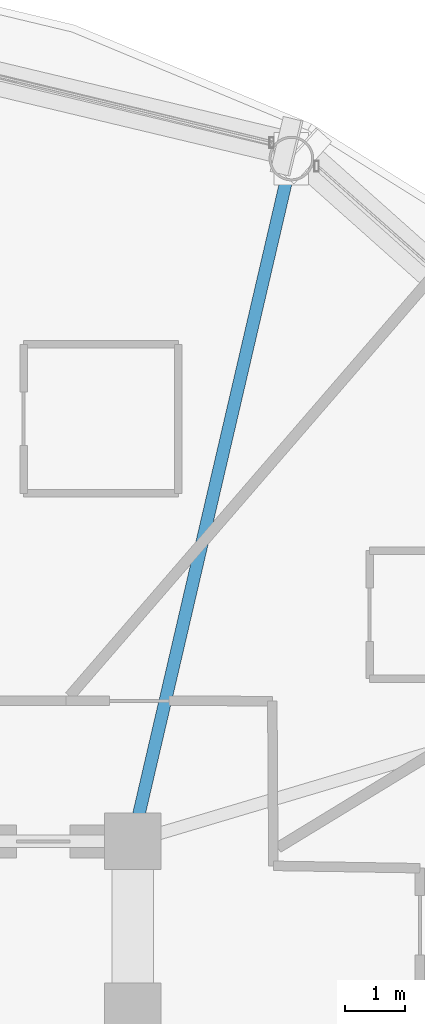
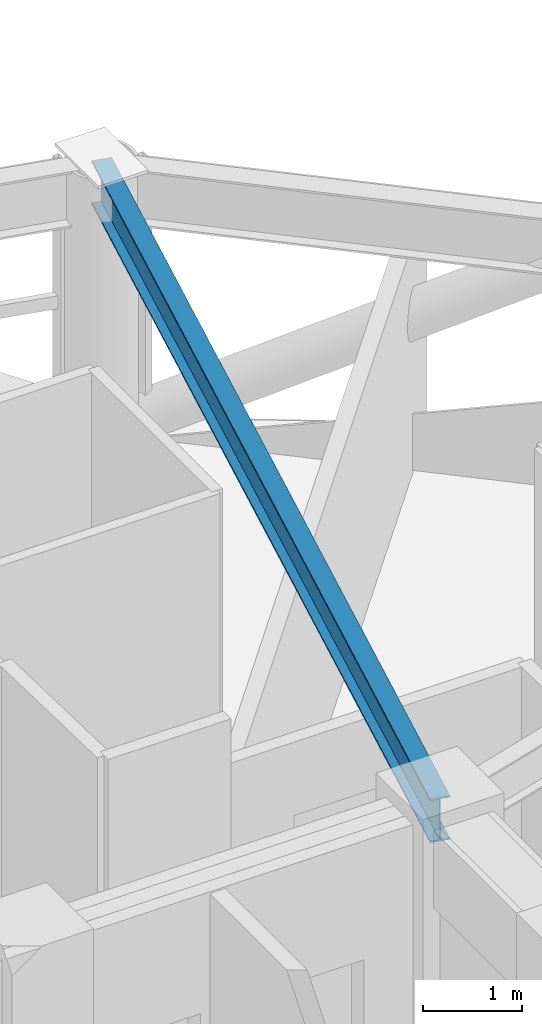
# One storey, part 17 of 29: 1 beam.
"""IFC4 building model written with IfcOpenShell, lengths in metres."""

from ifc_helpers import new_model, si_unit, direction, frame, origin, origin_2d, place, context, subcontext, project, spatial, i_section, extrude, material, material_profile, profile_set, type_object, element, save


model = new_model("IFC4")

# Units and contexts
model_context = context("Model", 3, precision=1e-05, world=origin(), true_north=direction((0.0, 1.0)))
body_context = subcontext(model_context, "Body", "Model", "MODEL_VIEW")
ifc_project = project(units=[si_unit("LENGTHUNIT", "METRE"), si_unit("AREAUNIT", "SQUARE_METRE"), si_unit("VOLUMEUNIT", "CUBIC_METRE"), si_unit("PLANEANGLEUNIT", "RADIAN"), si_unit("MASSUNIT", "GRAM", prefix="KILO")], contexts=[model_context])

# Site, building, storey
site_placement = place(None, origin())
site = spatial("IfcSite", under=ifc_project, at=site_placement, CompositionType="ELEMENT")
building_placement = place(site_placement, origin())
building = spatial("IfcBuilding", under=site, at=building_placement, Name="Vantalir Tower", CompositionType="ELEMENT")
storey_placement = place(building_placement, frame((0.0, 0.0, 164.699951171875)))
storey = spatial("IfcBuildingStorey", under=building, at=storey_placement, Name="L41", CompositionType="ELEMENT", Elevation=164.699951171875)

# Beam
ifc_material = material(Name="Steel S355", Category="steel")
ifc_material_profile = material_profile(ifc_material, i_section(OverallWidth=0.2109375, OverallDepth=0.5390625, WebThickness=0.01171875, FlangeThickness=0.018798828125, at=origin_2d()), Name="Steel S355")
ifc_profile_set = profile_set([ifc_material_profile], Name="Steel S355")
beam_type = type_object("IfcBeamType", Name="BM-RB-533x210", PredefinedType="BEAM", material=ifc_profile_set)
beam_placement = place(storey_placement, frame((43.76806640625, 43.9208984375, 3.301025390625), z_axis=(-0.226538191981, -0.974002283146, 0.0), x_axis=(0.974002283146, -0.226538191981, 0.0)))
element("IfcBeam", 1, at=beam_placement, inside=storey, type_object=beam_type, Name="L41 Radial Floor Beam 03", PredefinedType="BEAM", context=body_context, shape_type="SweptSolid", body=[
    extrude(i_section(OverallWidth=0.2109375, OverallDepth=0.5390625, WebThickness=0.01171875, FlangeThickness=0.018798828125, at=origin_2d()), origin(), (0.0, 0.0, 1.0), 11.777099609375),
])

save(model, "model.ifc")
